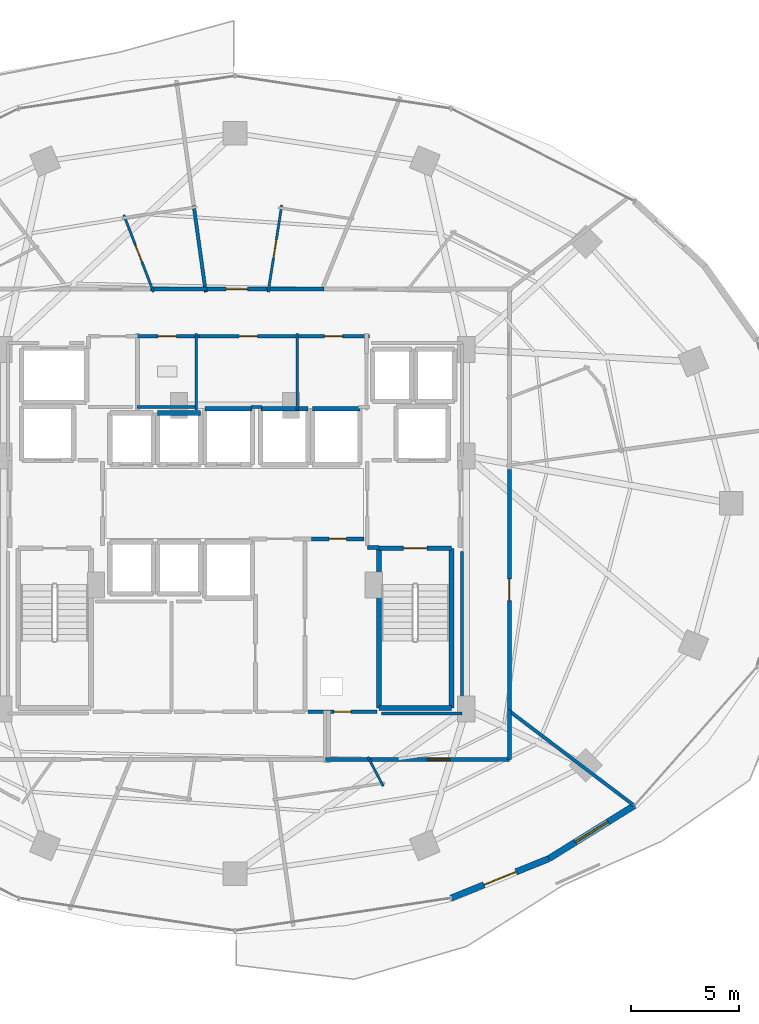
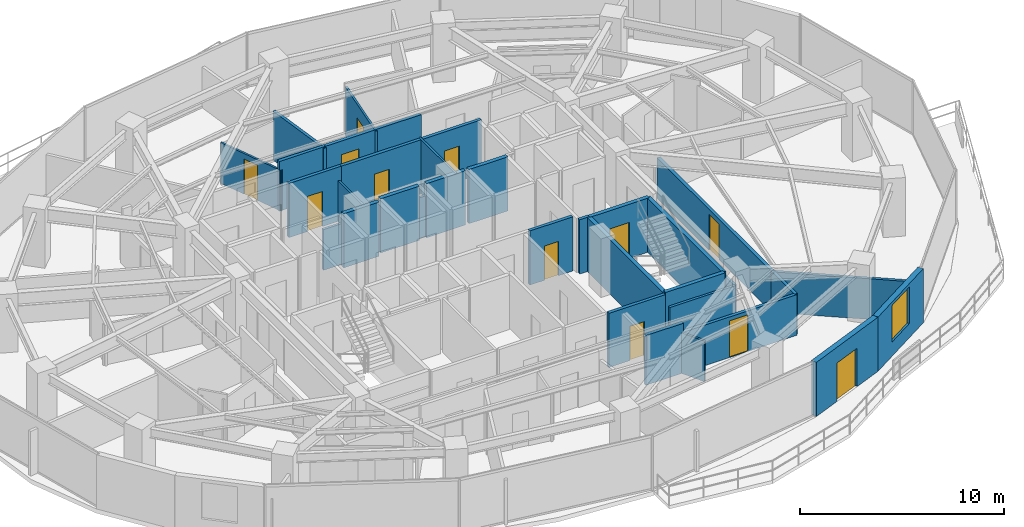
# One storey, part 24 of 30: 34 walls, 12 doors, 1 window, 13 openings.
"""IFC4 building model written with IfcOpenShell, lengths in metres."""

from ifc_helpers import new_model, si_unit, direction, frame, frame_2d, origin, place, context, subcontext, project, spatial, rectangle, extrude, material, layer, layer_set, type_object, element, fill, save


model = new_model("IFC4")

# Units and contexts
model_context = context("Model", 3, precision=1e-05, world=origin(), true_north=direction((0.0, 1.0)))
body_context = subcontext(model_context, "Body", "Model", "MODEL_VIEW")
ifc_project = project(units=[si_unit("LENGTHUNIT", "METRE"), si_unit("AREAUNIT", "SQUARE_METRE"), si_unit("VOLUMEUNIT", "CUBIC_METRE"), si_unit("PLANEANGLEUNIT", "RADIAN"), si_unit("MASSUNIT", "GRAM", prefix="KILO")], contexts=[model_context])

# Site, building, storey
site_placement = place(None, origin())
site = spatial("IfcSite", under=ifc_project, at=site_placement, CompositionType="ELEMENT")
building_placement = place(site_placement, origin())
building = spatial("IfcBuilding", under=site, at=building_placement, Name="Vorneva Point Tower", CompositionType="ELEMENT")
storey_placement = place(building_placement, frame((0.0, 0.0, 89.300048828125)))
storey = spatial("IfcBuildingStorey", under=building, at=storey_placement, Name="L23", CompositionType="ELEMENT", Elevation=89.300048828125)

# Wall, opening, door
ifc_material_1 = material(Name="Precast concrete B50 (C40/50)", Category="concrete")
ifc_layer_1 = layer(ifc_material_1, 0.300048828125)
ifc_layer_set_1 = layer_set([ifc_layer_1], Name="Precast concrete B50 (C40/50)")
wall_type_1 = type_object("IfcWallType", Name="WL-EXT-300", PredefinedType="STANDARD", material=ifc_layer_set_1)
wall_1_placement = place(storey_placement, frame((48.04541015625, 7.660888671875, 0.0), z_axis=(0.0, 0.0, 1.0), x_axis=(0.927122233109, 0.374759075775, 0.0)))
wall_1 = element("IfcWall", 1, at=wall_1_placement, inside=storey, type_object=wall_type_1, Name="L23 Pale-Metal Facade Spandrel Wall 14.1", PredefinedType="STANDARD", context=body_context, shape_type="SweptSolid", body=[
    extrude(rectangle(XDim=4.89501953125, YDim=0.300048828125, at=frame_2d((2.447509765625, 0.0))), origin(), (0.0, 0.0, 1.0), 3.239990234375),
])
opening_1_placement = place(wall_1_placement, frame((1.6474609375, 0.0, 0.0)))
opening_1 = element("IfcOpeningElement", 2, at=opening_1_placement, cuts=wall_1, Name="Opening BD-01", PredefinedType="OPENING", context=body_context, shape_type="SweptSolid", body=[
    extrude(rectangle(XDim=1.60009765625, YDim=2.300048828125, at=frame_2d((0.800048828125, 1.14990234375))), frame((0.0, 0.1650390625, 0.0), z_axis=(0.0, -1.0, 0.0), x_axis=(1.0, 0.0, 0.0)), (0.0, 0.0, 1.0), 0.329833984375),
])
ifc_material_2 = material(Name="Pale anodised aluminium", Category="aluminium")
door_type_1 = type_object("IfcDoorType", Name="DR-BAL-1600", OperationType="SLIDING_TO_LEFT", PredefinedType="DOOR", material=ifc_material_2)
door_1_placement = place(opening_1_placement, origin())
door_1 = element("IfcDoor", 3, at=door_1_placement, inside=storey, type_object=door_type_1, Name="L23 Balcony Terrace Access Door 14", OperationType="SLIDING_TO_LEFT", OverallHeight=2.300048828125, OverallWidth=1.60009765625, PredefinedType="DOOR", context=body_context, shape_type="SweptSolid", body=[
    extrude(rectangle(XDim=1.60009765625, YDim=2.300048828125, at=frame_2d((0.800048828125, 1.14990234375))), frame((0.0, 0.02490234375, 0.0), z_axis=(0.0, -1.0, 0.0), x_axis=(1.0, 0.0, 0.0)), (0.0, 0.0, 1.0), 0.050048828125),
])
fill(opening_1, door_1)

# Wall, opening, window
wall_2_placement = place(storey_placement, frame((52.583740234375, 9.495361328125, 0.0), z_axis=(0.0, 0.0, 1.0), x_axis=(0.849684479743, 0.527291461038, 0.0)))
wall_2 = element("IfcWall", 4, at=wall_2_placement, inside=storey, type_object=wall_type_1, Name="L23 Pale-Metal Facade Spandrel Wall 14.2", PredefinedType="STANDARD", context=body_context, shape_type="SweptSolid", body=[
    extrude(rectangle(XDim=4.681396484375, YDim=0.300048828125, at=frame_2d((2.3408203125, 0.0))), origin(), (0.0, 0.0, 1.0), 3.239990234375),
])
opening_2_placement = place(wall_2_placement, frame((1.44091796875, 0.0, 0.85009765625)))
opening_2 = element("IfcOpeningElement", 5, at=opening_2_placement, cuts=wall_2, Name="Opening W-01", PredefinedType="OPENING", context=body_context, shape_type="SweptSolid", body=[
    extrude(rectangle(XDim=1.800048828125, YDim=2.18994140625, at=frame_2d((0.89990234375, 1.094970703125))), frame((0.0, 0.1650390625, 0.0), z_axis=(0.0, -1.0, 0.0), x_axis=(1.0, 0.0, 0.0)), (0.0, 0.0, 1.0), 0.329833984375),
])
ifc_material_3 = material(Name="Double low-e laminated glass IGU", Category="glass")
window_type = type_object("IfcWindowType", Name="WN-LOG-1800", PartitioningType="SINGLE_PANEL", PredefinedType="WINDOW", material=ifc_material_3)
window_placement = place(opening_2_placement, origin())
window = element("IfcWindow", 6, at=window_placement, inside=storey, type_object=window_type, Name="L23 Facade Window 14", OverallHeight=2.18994140625, OverallWidth=1.800048828125, PartitioningType="SINGLE_PANEL", PredefinedType="WINDOW", context=body_context, shape_type="SweptSolid", body=[
    extrude(rectangle(XDim=1.800048828125, YDim=2.18994140625, at=frame_2d((0.89990234375, 1.094970703125))), frame((0.0, 0.030029296875, 0.0), z_axis=(0.0, -1.0, 0.0), x_axis=(1.0, 0.0, 0.0)), (0.0, 0.0, 1.0), 0.06005859375),
])
fill(opening_2, window)

# Walls
ifc_material_4 = material(Name="Fire-rated acoustic gypsum stud partition", Category="gypsum")
ifc_layer_2 = layer(ifc_material_4, 0.110107421875)
ifc_layer_set_2 = layer_set([ifc_layer_2], Name="Fire-rated acoustic gypsum stud partition")
wall_type_2 = type_object("IfcWallType", Name="WL-PART-110", PredefinedType="PARTITIONING", material=ifc_layer_set_2)
wall_3_placement = place(storey_placement, frame((36.199951171875, 30.340087890625, 0.0), z_axis=(0.0, 0.0, 1.0), x_axis=(0.0, 1.0, 0.0)))
element("IfcWall", 7, at=wall_3_placement, inside=storey, type_object=wall_type_2, Name="L23 Interior Partition 015", PredefinedType="PARTITIONING", context=body_context, shape_type="SweptSolid", body=[
    extrude(rectangle(XDim=3.559814453125, YDim=0.110107421875, at=frame_2d((1.77978515625, 0.0))), origin(), (0.0, 0.0, 1.0), 2.431884765625),
])
wall_4_placement = place(storey_placement, frame((40.89990234375, 30.340087890625, 0.0), z_axis=(0.0, 0.0, 1.0), x_axis=(0.0, 1.0, 0.0)))
element("IfcWall", 8, at=wall_4_placement, inside=storey, type_object=wall_type_2, Name="L23 Interior Partition 017", PredefinedType="PARTITIONING", context=body_context, shape_type="SweptSolid", body=[
    extrude(rectangle(XDim=3.559814453125, YDim=0.110107421875, at=frame_2d((1.77978515625, 0.0))), origin(), (0.0, 0.0, 1.0), 3.239990234375),
])

# Wall, opening, door
wall_5_placement = place(storey_placement, frame((39.542236328125, 35.811767578125, 0.0), z_axis=(0.0, 0.0, 1.0), x_axis=(0.155211191462, 0.98788131172, 0.0)))
wall_5 = element("IfcWall", 9, at=wall_5_placement, inside=storey, type_object=wall_type_2, Name="L23 Interior Partition 062", PredefinedType="PARTITIONING", context=body_context, shape_type="SweptSolid", body=[
    extrude(rectangle(XDim=4.088134765625, YDim=0.110107421875, at=frame_2d((2.0439453125, 0.0))), origin(), (0.0, 0.0, 1.0), 2.921875),
])
opening_3_placement = place(wall_5_placement, frame((1.619140625, 0.0, 0.0)))
opening_3 = element("IfcOpeningElement", 10, at=opening_3_placement, cuts=wall_5, Name="Opening ID-02", PredefinedType="OPENING", context=body_context, shape_type="SweptSolid", body=[
    extrude(rectangle(XDim=0.85009765625, YDim=2.10009765625, at=frame_2d((0.425048828125, 1.050048828125))), frame((0.0, 0.06982421875, 0.0), z_axis=(0.0, -1.0, 0.0), x_axis=(1.0, 0.0, 0.0)), (0.0, 0.0, 1.0), 0.139892578125),
])
ifc_material_5 = material(Name="Engineered oak fire-rated door leaf", Category="wood")
door_type_2 = type_object("IfcDoorType", Name="DR-BATH-850", OperationType="NOTDEFINED", PredefinedType="DOOR", material=ifc_material_5)
door_2_placement = place(opening_3_placement, origin())
door_2 = element("IfcDoor", 11, at=door_2_placement, inside=storey, type_object=door_type_2, Name="L23 Door Twin Guest Room L23-03 / En-Suite Bathroom L23-03", OperationType="SINGLE_SWING_LEFT", OverallHeight=2.10009765625, OverallWidth=0.85009765625, PredefinedType="DOOR", context=body_context, shape_type="SweptSolid", body=[
    extrude(rectangle(XDim=0.85009765625, YDim=2.10009765625, at=frame_2d((0.425048828125, 1.050048828125))), frame((0.0, 0.02490234375, 0.0), z_axis=(0.0, -1.0, 0.0), x_axis=(1.0, 0.0, 0.0)), (0.0, 0.0, 1.0), 0.050048828125),
])
fill(opening_3, door_2)

wall_6_placement = place(storey_placement, frame((34.21630859375, 35.8193359375, 0.0), z_axis=(0.0, 0.0, 1.0), x_axis=(-0.359516562862, 0.933138704067, 0.0)))
wall_6 = element("IfcWall", 12, at=wall_6_placement, inside=storey, type_object=wall_type_2, Name="L23 Interior Partition 065", PredefinedType="PARTITIONING", context=body_context, shape_type="SweptSolid", body=[
    extrude(rectangle(XDim=3.834716796875, YDim=0.110107421875, at=frame_2d((1.91748046875, 0.0))), origin(), (0.0, 0.0, 1.0), 2.431884765625),
])
opening_4_placement = place(wall_6_placement, frame((1.4921875, 0.0, 0.0)))
opening_4 = element("IfcOpeningElement", 13, at=opening_4_placement, cuts=wall_6, Name="Opening ID-02", PredefinedType="OPENING", context=body_context, shape_type="SweptSolid", body=[
    extrude(rectangle(XDim=0.85009765625, YDim=2.10009765625, at=frame_2d((0.425048828125, 1.050048828125))), frame((0.0, 0.06982421875, 0.0), z_axis=(0.0, -1.0, 0.0), x_axis=(1.0, 0.0, 0.0)), (0.0, 0.0, 1.0), 0.139892578125),
])
door_3_placement = place(opening_4_placement, origin())
door_3 = element("IfcDoor", 14, at=door_3_placement, inside=storey, type_object=door_type_2, Name="L23 Door Junior Suite L23-04 / En-Suite Bathroom L23-04", OperationType="SINGLE_SWING_RIGHT", OverallHeight=2.10009765625, OverallWidth=0.85009765625, PredefinedType="DOOR", context=body_context, shape_type="SweptSolid", body=[
    extrude(rectangle(XDim=0.85009765625, YDim=2.10009765625, at=frame_2d((0.425048828125, 1.050048828125))), frame((0.0, 0.02490234375, 0.0), z_axis=(0.0, -1.0, 0.0), x_axis=(1.0, 0.0, 0.0)), (0.0, 0.0, 1.0), 0.050048828125),
])
fill(opening_4, door_3)

# Walls
wall_7_placement = place(storey_placement, frame((44.176025390625, 14.22412109375, 0.0), z_axis=(0.0, 0.0, 1.0), x_axis=(0.464262791375, -0.885697499457, 0.0)))
element("IfcWall", 15, at=wall_7_placement, inside=storey, type_object=wall_type_2, Name="L23 Interior Partition 086", PredefinedType="PARTITIONING", context=body_context, shape_type="SweptSolid", body=[
    extrude(rectangle(XDim=1.533447265625, YDim=0.110107421875, at=frame_2d((0.7666015625, 0.0))), origin(), (0.0, 0.0, 1.0), 2.431884765625),
])
ifc_layer_3 = layer(ifc_material_4, 0.139892578125)
ifc_layer_set_3 = layer_set([ifc_layer_3], Name="Fire-rated acoustic gypsum stud partition")
wall_type_3 = type_object("IfcWallType", Name="WL-PART-140", PredefinedType="PARTITIONING", material=ifc_layer_set_3)
wall_8_placement = place(storey_placement, frame((33.43994140625, 30.47998046875, 0.0), z_axis=(0.0, 0.0, 1.0), x_axis=(1.0, 0.0, 0.0)))
element("IfcWall", 16, at=wall_8_placement, inside=storey, type_object=wall_type_3, Name="L23 Interior Closure Partition 091", PredefinedType="PARTITIONING", context=body_context, shape_type="SweptSolid", body=[
    extrude(rectangle(XDim=2.7900390625, YDim=0.139892578125, at=frame_2d((1.39501953125, 0.0))), origin(), (0.0, 0.0, 1.0), 2.431884765625),
])
wall_9_placement = place(storey_placement, frame((38.735107421875, 30.47998046875, 0.0), z_axis=(0.0, 0.0, 1.0), x_axis=(1.0, 0.0, 0.0)))
element("IfcWall", 17, at=wall_9_placement, inside=storey, type_object=wall_type_3, Name="L23 Interior Closure Partition 092", PredefinedType="PARTITIONING", context=body_context, shape_type="SweptSolid", body=[
    extrude(rectangle(XDim=0.52978515625, YDim=0.139892578125, at=frame_2d((0.264892578125, 0.0))), origin(), (0.0, 0.0, 1.0), 2.431884765625),
])
wall_10_placement = place(storey_placement, frame((48.550048828125, 23.75390625, 0.0), z_axis=(0.0, 0.0, 1.0), x_axis=(0.0, -1.0, 0.0)))
element("IfcWall", 18, at=wall_10_placement, inside=storey, type_object=wall_type_3, Name="L23 Interior Closure Partition 099", PredefinedType="PARTITIONING", context=body_context, shape_type="SweptSolid", body=[
    extrude(rectangle(XDim=7.513916015625, YDim=0.139892578125, at=frame_2d((3.7568359375, 0.0))), origin(), (0.0, 0.0, 1.0), 2.431884765625),
])
wall_11_placement = place(storey_placement, frame((48.550048828125, 16.239990234375, 0.0), z_axis=(0.0, 0.0, 1.0), x_axis=(-1.0, 0.0, 0.0)))
element("IfcWall", 19, at=wall_11_placement, inside=storey, type_object=wall_type_3, Name="L23 Interior Closure Partition 100", PredefinedType="PARTITIONING", context=body_context, shape_type="SweptSolid", body=[
    extrude(rectangle(XDim=3.7451171875, YDim=0.139892578125, at=frame_2d((1.87255859375, 0.0))), origin(), (0.0, 0.0, 1.0), 2.431884765625),
])
ifc_layer_4 = layer(ifc_material_4, 0.159912109375)
ifc_layer_set_4 = layer_set([ifc_layer_4], Name="Fire-rated acoustic gypsum stud partition")
wall_type_4 = type_object("IfcWallType", Name="WL-PART-160", PredefinedType="PARTITIONING", material=ifc_layer_set_4)
wall_12_placement = place(storey_placement, frame((36.08740234375, 39.82861328125, 0.0), z_axis=(0.0, 0.0, 1.0), x_axis=(0.137071274589, -0.990561187248, 0.0)))
element("IfcWall", 20, at=wall_12_placement, inside=storey, type_object=wall_type_4, Name="L23 Interior Partition 064", PredefinedType="PARTITIONING", context=body_context, shape_type="SweptSolid", body=[
    extrude(rectangle(XDim=4.0556640625, YDim=0.159912109375, at=frame_2d((2.02783203125, 0.0))), origin(), (0.0, 0.0, 1.0), 2.921875),
])
wall_13_placement = place(storey_placement, frame((56.548095703125, 11.9599609375, 0.0), z_axis=(0.0, 0.0, 1.0), x_axis=(-0.797312940684, 0.603566131105, 0.0)))
element("IfcWall", 21, at=wall_13_placement, inside=storey, type_object=wall_type_4, Name="L23 Interior Partition 087", PredefinedType="PARTITIONING", context=body_context, shape_type="SweptSolid", body=[
    extrude(rectangle(XDim=7.27197265625, YDim=0.159912109375, at=frame_2d((3.635986328125, 0.0))), origin(), (0.0, 0.0, 1.0), 2.431884765625),
])
ifc_material_6 = material(Name="Autoclaved aerated concrete blockwork", Category="masonry")
ifc_layer_5 = layer(ifc_material_6, 0.179931640625)
ifc_layer_set_5 = layer_set([ifc_layer_5], Name="Autoclaved aerated concrete blockwork")
wall_type_5 = type_object("IfcWallType", Name="WL-PART-180", PredefinedType="PARTITIONING", material=ifc_layer_set_5)
wall_14_placement = place(storey_placement, frame((44.14990234375, 23.949951171875, 0.0), z_axis=(0.0, 0.0, 1.0), x_axis=(1.0, 0.0, 0.0)))
element("IfcWall", 22, at=wall_14_placement, inside=storey, type_object=wall_type_5, Name="L23 Interior Partition 004", PredefinedType="PARTITIONING", context=body_context, shape_type="SweptSolid", body=[
    extrude(rectangle(XDim=0.5400390625, YDim=0.179931640625, at=frame_2d((0.27001953125, 0.0))), origin(), (0.0, 0.0, 1.0), 3.239990234375),
])

# Wall, opening, door
wall_15_placement = place(storey_placement, frame((41.554931640625, 24.35009765625, 0.0), z_axis=(0.0, 0.0, 1.0), x_axis=(1.0, 0.0, 0.0)))
wall_15 = element("IfcWall", 23, at=wall_15_placement, inside=storey, type_object=wall_type_5, Name="L23 Interior Partition 010", PredefinedType="PARTITIONING", context=body_context, shape_type="SweptSolid", body=[
    extrude(rectangle(XDim=2.445068359375, YDim=0.179931640625, at=frame_2d((1.22265625, 0.0))), origin(), (0.0, 0.0, 1.0), 3.239990234375),
])
opening_5_placement = place(wall_15_placement, frame((0.822509765625, 0.0, 0.0)))
opening_5 = element("IfcOpeningElement", 24, at=opening_5_placement, cuts=wall_15, Name="Opening RD-01", PredefinedType="OPENING", context=body_context, shape_type="SweptSolid", body=[
    extrude(rectangle(XDim=0.800048828125, YDim=2.050048828125, at=frame_2d((0.39990234375, 1.02490234375))), frame((0.0, 0.10498046875, 0.0), z_axis=(0.0, -1.0, 0.0), x_axis=(1.0, 0.0, 0.0)), (0.0, 0.0, 1.0), 0.209716796875),
])
ifc_material_7 = material(Name="Fire-rated powder-coated steel", Category="steel")
door_type_3 = type_object("IfcDoorType", Name="DR-RSR-800", OperationType="SINGLE_SWING_LEFT", PredefinedType="DOOR", material=ifc_material_7)
door_4_placement = place(opening_5_placement, origin())
door_4 = element("IfcDoor", 25, at=door_4_placement, inside=storey, type_object=door_type_3, Name="L23 Door Central Lift Lobby / Electrical Riser", OperationType="SINGLE_SWING_LEFT", OverallHeight=2.050048828125, OverallWidth=0.800048828125, PredefinedType="DOOR", context=body_context, shape_type="SweptSolid", body=[
    extrude(rectangle(XDim=0.800048828125, YDim=2.050048828125, at=frame_2d((0.39990234375, 1.02490234375))), frame((0.0, 0.02490234375, 0.0), z_axis=(0.0, -1.0, 0.0), x_axis=(1.0, 0.0, 0.0)), (0.0, 0.0, 1.0), 0.050048828125),
])
fill(opening_5, door_4)

wall_16_placement = place(storey_placement, frame((41.39990234375, 16.320068359375, 0.0), z_axis=(0.0, 0.0, 1.0), x_axis=(1.0, 0.0, 0.0)))
wall_16 = element("IfcWall", 26, at=wall_16_placement, inside=storey, type_object=wall_type_5, Name="L23 Interior Partition 014", PredefinedType="PARTITIONING", context=body_context, shape_type="SweptSolid", body=[
    extrude(rectangle(XDim=3.2001953125, YDim=0.179931640625, at=frame_2d((1.60009765625, 0.0))), origin(), (0.0, 0.0, 1.0), 3.239990234375),
])
opening_6_placement = place(wall_16_placement, frame((1.199951171875, 0.0, 0.0)))
opening_6 = element("IfcOpeningElement", 27, at=opening_6_placement, cuts=wall_16, Name="Opening RD-01", PredefinedType="OPENING", context=body_context, shape_type="SweptSolid", body=[
    extrude(rectangle(XDim=0.800048828125, YDim=2.050048828125, at=frame_2d((0.39990234375, 1.02490234375))), frame((0.0, 0.10498046875, 0.0), z_axis=(0.0, -1.0, 0.0), x_axis=(1.0, 0.0, 0.0)), (0.0, 0.0, 1.0), 0.209716796875),
])
door_5_placement = place(opening_6_placement, origin())
door_5 = element("IfcDoor", 28, at=door_5_placement, inside=storey, type_object=door_type_3, Name="L23 Door Electrical Riser / L23 Circulation Corridor", OperationType="SINGLE_SWING_LEFT", OverallHeight=2.050048828125, OverallWidth=0.800048828125, PredefinedType="DOOR", context=body_context, shape_type="SweptSolid", body=[
    extrude(rectangle(XDim=0.800048828125, YDim=2.050048828125, at=frame_2d((0.39990234375, 1.02490234375))), frame((0.0, 0.02490234375, 0.0), z_axis=(0.0, -1.0, 0.0), x_axis=(1.0, 0.0, 0.0)), (0.0, 0.0, 1.0), 0.050048828125),
])
fill(opening_6, door_5)

wall_17_placement = place(storey_placement, frame((36.340087890625, 33.760009765625, 0.0), z_axis=(0.0, 0.0, 1.0), x_axis=(-1.0, 0.0, 0.0)))
wall_17 = element("IfcWall", 29, at=wall_17_placement, inside=storey, type_object=wall_type_5, Name="L23 Interior Partition 016", PredefinedType="PARTITIONING", context=body_context, shape_type="SweptSolid", body=[
    extrude(rectangle(XDim=2.97998046875, YDim=0.179931640625, at=frame_2d((1.489990234375, 0.0))), origin(), (0.0, 0.0, 1.0), 3.239990234375),
])
opening_7_placement = place(wall_17_placement, frame((1.06494140625, 0.0, 0.0)))
opening_7 = element("IfcOpeningElement", 30, at=opening_7_placement, cuts=wall_17, Name="Opening ID-02", PredefinedType="OPENING", context=body_context, shape_type="SweptSolid", body=[
    extrude(rectangle(XDim=0.85009765625, YDim=2.10009765625, at=frame_2d((0.425048828125, 1.050048828125))), frame((0.0, 0.10498046875, 0.0), z_axis=(0.0, -1.0, 0.0), x_axis=(1.0, 0.0, 0.0)), (0.0, 0.0, 1.0), 0.209716796875),
])
door_6_placement = place(opening_7_placement, origin())
door_6 = element("IfcDoor", 31, at=door_6_placement, inside=storey, type_object=door_type_2, Name="L23 Door Public Male WC / L23 Circulation Corridor", OperationType="SINGLE_SWING_RIGHT", OverallHeight=2.10009765625, OverallWidth=0.85009765625, PredefinedType="DOOR", context=body_context, shape_type="SweptSolid", body=[
    extrude(rectangle(XDim=0.85009765625, YDim=2.10009765625, at=frame_2d((0.425048828125, 1.050048828125))), frame((0.0, 0.02490234375, 0.0), z_axis=(0.0, -1.0, 0.0), x_axis=(1.0, 0.0, 0.0)), (0.0, 0.0, 1.0), 0.050048828125),
])
fill(opening_7, door_6)

wall_18_placement = place(storey_placement, frame((41.0400390625, 33.760009765625, 0.0), z_axis=(0.0, 0.0, 1.0), x_axis=(-1.0, 0.0, 0.0)))
wall_18 = element("IfcWall", 32, at=wall_18_placement, inside=storey, type_object=wall_type_5, Name="L23 Interior Partition 018", PredefinedType="PARTITIONING", context=body_context, shape_type="SweptSolid", body=[
    extrude(rectangle(XDim=4.840087890625, YDim=0.179931640625, at=frame_2d((2.419921875, 0.0))), origin(), (0.0, 0.0, 1.0), 3.239990234375),
])
opening_8_placement = place(wall_18_placement, frame((1.9951171875, 0.0, 0.0)))
opening_8 = element("IfcOpeningElement", 33, at=opening_8_placement, cuts=wall_18, Name="Opening ID-02", PredefinedType="OPENING", context=body_context, shape_type="SweptSolid", body=[
    extrude(rectangle(XDim=0.85009765625, YDim=2.10009765625, at=frame_2d((0.425048828125, 1.050048828125))), frame((0.0, 0.10498046875, 0.0), z_axis=(0.0, -1.0, 0.0), x_axis=(1.0, 0.0, 0.0)), (0.0, 0.0, 1.0), 0.209716796875),
])
door_7_placement = place(opening_8_placement, origin())
door_7 = element("IfcDoor", 34, at=door_7_placement, inside=storey, type_object=door_type_2, Name="L23 Door Public Female WC / L23 Circulation Corridor", OperationType="SINGLE_SWING_LEFT", OverallHeight=2.10009765625, OverallWidth=0.85009765625, PredefinedType="DOOR", context=body_context, shape_type="SweptSolid", body=[
    extrude(rectangle(XDim=0.85009765625, YDim=2.10009765625, at=frame_2d((0.425048828125, 1.050048828125))), frame((0.0, 0.02490234375, 0.0), z_axis=(0.0, -1.0, 0.0), x_axis=(1.0, 0.0, 0.0)), (0.0, 0.0, 1.0), 0.050048828125),
])
fill(opening_8, door_7)

wall_19_placement = place(storey_placement, frame((44.260009765625, 33.760009765625, 0.0), z_axis=(0.0, 0.0, 1.0), x_axis=(-1.0, 0.0, 0.0)))
wall_19 = element("IfcWall", 35, at=wall_19_placement, inside=storey, type_object=wall_type_5, Name="L23 Interior Partition 019", PredefinedType="PARTITIONING", context=body_context, shape_type="SweptSolid", body=[
    extrude(rectangle(XDim=3.360107421875, YDim=0.179931640625, at=frame_2d((1.68017578125, 0.0))), origin(), (0.0, 0.0, 1.0), 3.239990234375),
])
opening_9_placement = place(wall_19_placement, frame((1.2548828125, 0.0, 0.0)))
opening_9 = element("IfcOpeningElement", 36, at=opening_9_placement, cuts=wall_19, Name="Opening ID-02", PredefinedType="OPENING", context=body_context, shape_type="SweptSolid", body=[
    extrude(rectangle(XDim=0.85009765625, YDim=2.10009765625, at=frame_2d((0.425048828125, 1.050048828125))), frame((0.0, 0.10498046875, 0.0), z_axis=(0.0, -1.0, 0.0), x_axis=(1.0, 0.0, 0.0)), (0.0, 0.0, 1.0), 0.209716796875),
])
door_8_placement = place(opening_9_placement, origin())
door_8 = element("IfcDoor", 37, at=door_8_placement, inside=storey, type_object=door_type_2, Name="L23 Door Accessible WC / L23 Circulation Corridor", OperationType="SINGLE_SWING_RIGHT", OverallHeight=2.10009765625, OverallWidth=0.85009765625, PredefinedType="DOOR", context=body_context, shape_type="SweptSolid", body=[
    extrude(rectangle(XDim=0.85009765625, YDim=2.10009765625, at=frame_2d((0.425048828125, 1.050048828125))), frame((0.0, 0.02490234375, 0.0), z_axis=(0.0, -1.0, 0.0), x_axis=(1.0, 0.0, 0.0)), (0.0, 0.0, 1.0), 0.050048828125),
])
fill(opening_9, door_8)

wall_20_placement = place(storey_placement, frame((39.625, 35.949951171875, 0.0), z_axis=(0.0, 0.0, 1.0), x_axis=(-1.0, 0.0, 0.0)))
wall_20 = element("IfcWall", 38, at=wall_20_placement, inside=storey, type_object=wall_type_5, Name="L23 Interior Partition 028", PredefinedType="PARTITIONING", context=body_context, shape_type="SweptSolid", body=[
    extrude(rectangle(XDim=3.06201171875, YDim=0.179931640625, at=frame_2d((1.531005859375, 0.0))), origin(), (0.0, 0.0, 1.0), 2.971923828125),
])
opening_10_placement = place(wall_20_placement, frame((1.031005859375, 0.0, 0.0)))
opening_10 = element("IfcOpeningElement", 39, at=opening_10_placement, cuts=wall_20, Name="Opening UD-01", PredefinedType="OPENING", context=body_context, shape_type="SweptSolid", body=[
    extrude(rectangle(XDim=1.0, YDim=2.14990234375, at=frame_2d((0.5, 1.074951171875))), frame((0.0, 0.10498046875, 0.0), z_axis=(0.0, -1.0, 0.0), x_axis=(1.0, 0.0, 0.0)), (0.0, 0.0, 1.0), 0.209716796875),
])
door_type_4 = type_object("IfcDoorType", Name="DR-UNIT-1000", OperationType="NOTDEFINED", PredefinedType="DOOR", material=ifc_material_5)
door_9_placement = place(opening_10_placement, origin())
door_9 = element("IfcDoor", 40, at=door_9_placement, inside=storey, type_object=door_type_4, Name="L23 Door L23 Circulation Corridor / Twin Guest Room L23-03", OperationType="SINGLE_SWING_LEFT", OverallHeight=2.14990234375, OverallWidth=1.0, PredefinedType="DOOR", context=body_context, shape_type="SweptSolid", body=[
    extrude(rectangle(XDim=1.0, YDim=2.14990234375, at=frame_2d((0.5, 1.074951171875))), frame((0.0, 0.02490234375, 0.0), z_axis=(0.0, -1.0, 0.0), x_axis=(1.0, 0.0, 0.0)), (0.0, 0.0, 1.0), 0.050048828125),
])
fill(opening_10, door_9)

# Walls
wall_21_placement = place(storey_placement, frame((42.1279296875, 35.949951171875, 0.0), z_axis=(0.0, 0.0, 1.0), x_axis=(-1.0, 0.0, 0.0)))
element("IfcWall", 41, at=wall_21_placement, inside=storey, type_object=wall_type_5, Name="L23 Interior Partition 029", PredefinedType="PARTITIONING", context=body_context, shape_type="SweptSolid", body=[
    extrude(rectangle(XDim=2.642822265625, YDim=0.179931640625, at=frame_2d((1.3212890625, 0.0))), origin(), (0.0, 0.0, 1.0), 2.971923828125),
])
wall_22_placement = place(storey_placement, frame((36.702880859375, 35.949951171875, 0.0), z_axis=(0.0, 0.0, 1.0), x_axis=(-1.0, 0.0, 0.0)))
element("IfcWall", 42, at=wall_22_placement, inside=storey, type_object=wall_type_5, Name="L23 Interior Partition 031", PredefinedType="PARTITIONING", context=body_context, shape_type="SweptSolid", body=[
    extrude(rectangle(XDim=2.616943359375, YDim=0.179931640625, at=frame_2d((1.30859375, 0.0))), origin(), (0.0, 0.0, 1.0), 2.971923828125),
])

# Wall, opening, door
wall_23_placement = place(storey_placement, frame((44.180908203125, 14.10009765625, 0.0), z_axis=(0.0, 0.0, 1.0), x_axis=(1.0, 0.0, 0.0)))
wall_23 = element("IfcWall", 43, at=wall_23_placement, inside=storey, type_object=wall_type_5, Name="L23 Interior Partition 044", PredefinedType="PARTITIONING", context=body_context, shape_type="SweptSolid", body=[
    extrude(rectangle(XDim=6.569091796875, YDim=0.179931640625, at=frame_2d((3.28466796875, 0.0))), origin(), (0.0, 0.0, 1.0), 2.431884765625),
])
opening_11_placement = place(wall_23_placement, frame((2.759521484375, 0.0, 0.0)))
opening_11 = element("IfcOpeningElement", 44, at=opening_11_placement, cuts=wall_23, Name="Opening UD-02", PredefinedType="OPENING", context=body_context, shape_type="SweptSolid", body=[
    extrude(rectangle(XDim=1.050048828125, YDim=2.199951171875, at=frame_2d((0.52490234375, 1.10009765625))), frame((0.0, 0.10498046875, 0.0), z_axis=(0.0, -1.0, 0.0), x_axis=(1.0, 0.0, 0.0)), (0.0, 0.0, 1.0), 0.209716796875),
])
door_type_5 = type_object("IfcDoorType", Name="DR-SUITE-1050", OperationType="NOTDEFINED", PredefinedType="DOOR", material=ifc_material_5)
door_10_placement = place(opening_11_placement, origin())
door_10 = element("IfcDoor", 45, at=door_10_placement, inside=storey, type_object=door_type_5, Name="L23 Door L23 Circulation Corridor / Junior Suite L23-10", OperationType="SINGLE_SWING_RIGHT", OverallHeight=2.199951171875, OverallWidth=1.050048828125, PredefinedType="DOOR", context=body_context, shape_type="SweptSolid", body=[
    extrude(rectangle(XDim=1.050048828125, YDim=2.199951171875, at=frame_2d((0.52490234375, 1.10009765625))), frame((0.0, 0.02490234375, 0.0), z_axis=(0.0, -1.0, 0.0), x_axis=(1.0, 0.0, 0.0)), (0.0, 0.0, 1.0), 0.050048828125),
])
fill(opening_11, door_10)

# Walls
wall_24_placement = place(storey_placement, frame((50.75, 14.10009765625, 0.0), z_axis=(0.0, 0.0, 1.0), x_axis=(0.0, 1.0, 0.0)))
element("IfcWall", 46, at=wall_24_placement, inside=storey, type_object=wall_type_5, Name="L23 Interior Partition 045", PredefinedType="PARTITIONING", context=body_context, shape_type="SweptSolid", body=[
    extrude(rectangle(XDim=2.308837890625, YDim=0.179931640625, at=frame_2d((1.154296875, 0.0))), origin(), (0.0, 0.0, 1.0), 2.431884765625),
])
wall_25_placement = place(storey_placement, frame((42.199951171875, 14.10009765625, 0.0), z_axis=(0.0, 0.0, 1.0), x_axis=(1.0, 0.0, 0.0)))
element("IfcWall", 47, at=wall_25_placement, inside=storey, type_object=wall_type_5, Name="L23 Interior Partition 047", PredefinedType="PARTITIONING", context=body_context, shape_type="SweptSolid", body=[
    extrude(rectangle(XDim=2.12109375, YDim=0.179931640625, at=frame_2d((1.060546875, 0.0))), origin(), (0.0, 0.0, 1.0), 2.971923828125),
])

# Wall, opening, door
wall_26_placement = place(storey_placement, frame((50.75, 16.408935546875, 0.0), z_axis=(0.0, 0.0, 1.0), x_axis=(0.0, 1.0, 0.0)))
wall_26 = element("IfcWall", 48, at=wall_26_placement, inside=storey, type_object=wall_type_5, Name="L23 Interior Partition 050", PredefinedType="PARTITIONING", context=body_context, shape_type="SweptSolid", body=[
    extrude(rectangle(XDim=11.155029296875, YDim=0.179931640625, at=frame_2d((5.57763671875, 0.0))), origin(), (0.0, 0.0, 1.0), 2.431884765625),
])
opening_12_placement = place(wall_26_placement, frame((5.077392578125, 0.0, 0.0)))
opening_12 = element("IfcOpeningElement", 49, at=opening_12_placement, cuts=wall_26, Name="Opening UD-01", PredefinedType="OPENING", context=body_context, shape_type="SweptSolid", body=[
    extrude(rectangle(XDim=1.0, YDim=2.14990234375, at=frame_2d((0.5, 1.074951171875))), frame((0.0, 0.10498046875, 0.0), z_axis=(0.0, -1.0, 0.0), x_axis=(1.0, 0.0, 0.0)), (0.0, 0.0, 1.0), 0.209716796875),
])
door_11_placement = place(opening_12_placement, origin())
door_11 = element("IfcDoor", 50, at=door_11_placement, inside=storey, type_object=door_type_4, Name="L23 Door L23 Circulation Corridor / Executive Meeting Room L23-11", OperationType="SINGLE_SWING_LEFT", OverallHeight=2.14990234375, OverallWidth=1.0, PredefinedType="DOOR", context=body_context, shape_type="SweptSolid", body=[
    extrude(rectangle(XDim=1.0, YDim=2.14990234375, at=frame_2d((0.5, 1.074951171875))), frame((0.0, 0.02490234375, 0.0), z_axis=(0.0, -1.0, 0.0), x_axis=(1.0, 0.0, 0.0)), (0.0, 0.0, 1.0), 0.050048828125),
])
fill(opening_12, door_11)

ifc_material_8 = material(Name="Concrete B50 (C40/50)", Category="concrete")
ifc_layer_6 = layer(ifc_material_8, 0.219970703125)
ifc_layer_set_6 = layer_set([ifc_layer_6], Name="Concrete B50 (C40/50)")
wall_type_6 = type_object("IfcWallType", Name="WL-SHFT-220", PredefinedType="SOLIDWALL", material=ifc_layer_set_6)
wall_27_placement = place(storey_placement, frame((44.68994140625, 23.909912109375, 0.0), z_axis=(0.0, 0.0, 1.0), x_axis=(1.0, 0.0, 0.0)))
wall_27 = element("IfcWall", 51, at=wall_27_placement, inside=storey, type_object=wall_type_6, Name="L23 Exit Stair ST2 Shaft Wall near", PredefinedType="SOLIDWALL", context=body_context, shape_type="SweptSolid", body=[
    extrude(rectangle(XDim=3.3701171875, YDim=0.219970703125, at=frame_2d((1.68505859375, 0.0))), origin(), (0.0, 0.0, 1.0), 3.239990234375),
])
opening_13_placement = place(wall_27_placement, frame((1.135009765625, 0.0, 0.0)))
opening_13 = element("IfcOpeningElement", 52, at=opening_13_placement, cuts=wall_27, Name="Opening FD-01", PredefinedType="OPENING", context=body_context, shape_type="SweptSolid", body=[
    extrude(rectangle(XDim=1.10009765625, YDim=2.14990234375, at=frame_2d((0.550048828125, 1.074951171875))), frame((0.0, 0.125, 0.0), z_axis=(0.0, -1.0, 0.0), x_axis=(1.0, 0.0, 0.0)), (0.0, 0.0, 1.0), 0.249755859375),
])
door_type_6 = type_object("IfcDoorType", Name="DR-STAIR-1100", OperationType="NOTDEFINED", PredefinedType="DOOR", material=ifc_material_7)
door_12_placement = place(opening_13_placement, origin())
door_12 = element("IfcDoor", 53, at=door_12_placement, inside=storey, type_object=door_type_6, Name="L23 Exit Stair ST2 Fire Door", OperationType="SINGLE_SWING_RIGHT", OverallHeight=2.14990234375, OverallWidth=1.10009765625, PredefinedType="DOOR", context=body_context, shape_type="SweptSolid", body=[
    extrude(rectangle(XDim=1.10009765625, YDim=2.14990234375, at=frame_2d((0.550048828125, 1.074951171875))), frame((0.0, 0.02490234375, 0.0), z_axis=(0.0, -1.0, 0.0), x_axis=(1.0, 0.0, 0.0)), (0.0, 0.0, 1.0), 0.050048828125),
])
fill(opening_13, door_12)

# Walls
wall_28_placement = place(storey_placement, frame((48.06005859375, 23.909912109375, 0.0), z_axis=(0.0, 0.0, 1.0), x_axis=(0.0, -1.0, 0.0)))
element("IfcWall", 54, at=wall_28_placement, inside=storey, type_object=wall_type_6, Name="L23 Exit Stair ST2 Shaft Wall right", PredefinedType="SOLIDWALL", context=body_context, shape_type="SweptSolid", body=[
    extrude(rectangle(XDim=7.419921875, YDim=0.219970703125, at=frame_2d((3.7099609375, 0.0))), origin(), (0.0, 0.0, 1.0), 3.239990234375),
])
wall_29_placement = place(storey_placement, frame((48.06005859375, 16.489990234375, 0.0), z_axis=(0.0, 0.0, 1.0), x_axis=(-1.0, 0.0, 0.0)))
element("IfcWall", 55, at=wall_29_placement, inside=storey, type_object=wall_type_6, Name="L23 Exit Stair ST2 Shaft Wall far", PredefinedType="SOLIDWALL", context=body_context, shape_type="SweptSolid", body=[
    extrude(rectangle(XDim=3.3701171875, YDim=0.219970703125, at=frame_2d((1.68505859375, 0.0))), origin(), (0.0, 0.0, 1.0), 3.239990234375),
])
wall_30_placement = place(storey_placement, frame((44.68994140625, 16.489990234375, 0.0), z_axis=(0.0, 0.0, 1.0), x_axis=(0.0, 1.0, 0.0)))
element("IfcWall", 56, at=wall_30_placement, inside=storey, type_object=wall_type_6, Name="L23 Exit Stair ST2 Shaft Wall left", PredefinedType="SOLIDWALL", context=body_context, shape_type="SweptSolid", body=[
    extrude(rectangle(XDim=7.419921875, YDim=0.219970703125, at=frame_2d((3.7099609375, 0.0))), origin(), (0.0, 0.0, 1.0), 3.239990234375),
])
wall_31_placement = place(storey_placement, frame((36.39990234375, 30.199951171875, 0.0), z_axis=(0.0, 0.0, 1.0), x_axis=(-1.0, 0.0, 0.0)))
element("IfcWall", 57, at=wall_31_placement, inside=storey, type_object=wall_type_6, Name="L23 Lift PL2 Shaft Wall +Y", PredefinedType="SOLIDWALL", context=body_context, shape_type="SweptSolid", body=[
    extrude(rectangle(XDim=2.0, YDim=0.219970703125, at=frame_2d((1.0, 0.0))), origin(), (0.0, 0.0, 1.0), 3.239990234375),
])
for number, where, z_axis, x_axis, name in (
    (58, (38.800048828125, 30.39990234375, 0.0), (0.0, 0.0, 1.0), (-1.0, 0.0, 0.0), "L23 Lift PL3 Shaft Wall +Y"),
    (59, (41.39990234375, 30.39990234375, 0.0), (0.0, 0.0, 1.0), (-1.0, 0.0, 0.0), "L23 Lift PL7 Shaft Wall +Y"),
    (60, (43.800048828125, 30.39990234375, 0.0), (0.0, 0.0, 1.0), (-1.0, 0.0, 0.0), "L23 Lift PL8 Shaft Wall +Y"),
):
    element("IfcWall", number, at=place(storey_placement, frame(where, z_axis=z_axis, x_axis=x_axis)), inside=storey, type_object=wall_type_6, Name=name, PredefinedType="SOLIDWALL", context=body_context, shape_type="SweptSolid", body=[
        extrude(rectangle(XDim=2.199951171875, YDim=0.219970703125, at=frame_2d((1.10009765625, 0.0))), origin(), (0.0, 0.0, 1.0), 3.239990234375),
    ])

save(model, "model.ifc")
